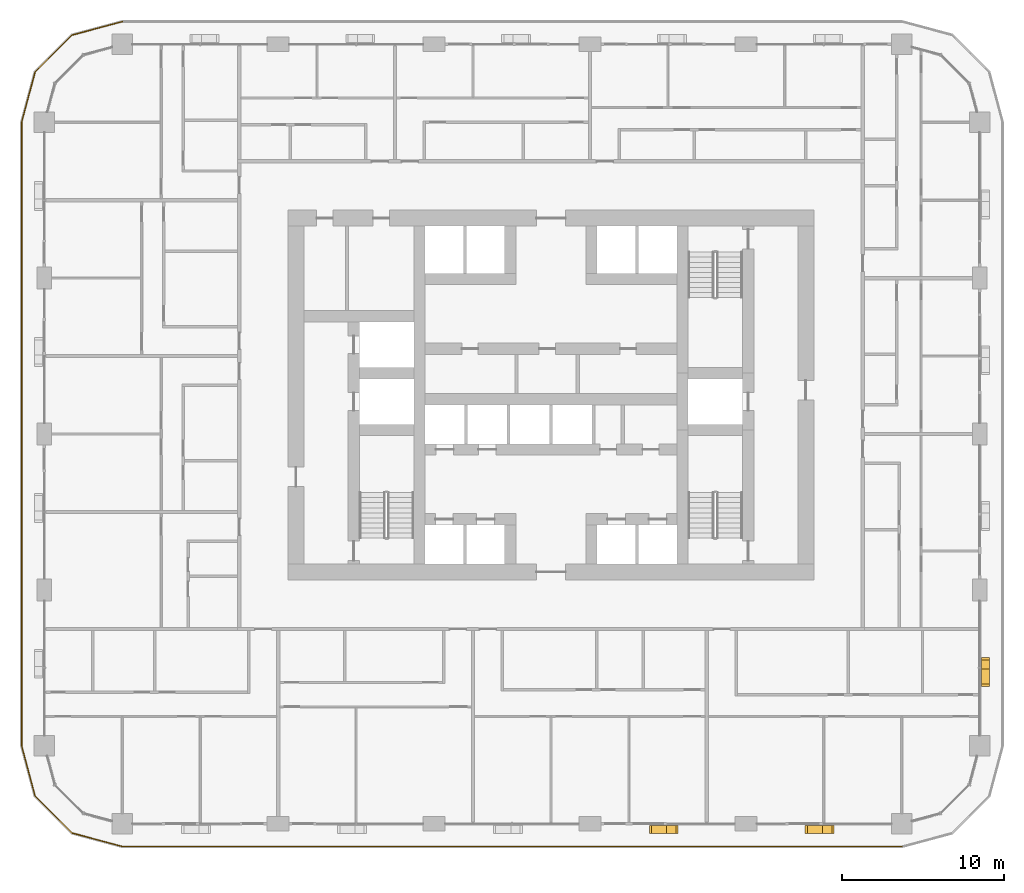
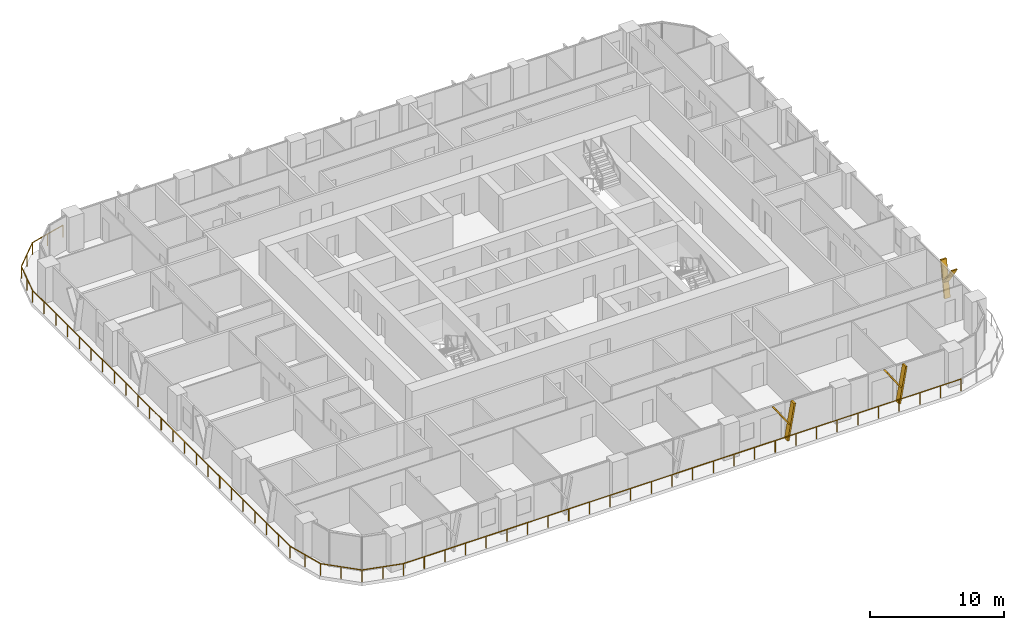
# One storey, part 18 of 21: 6 shading devices, 1 railing.
"""IFC4 building model written with IfcOpenShell, lengths in metres."""

from ifc_helpers import new_model, si_unit, direction, frame, origin, origin_2d, place, context, subcontext, project, spatial, polyline, circle, outline, extrude, material, type_object, element, save


model = new_model("IFC4")

# Units and contexts
model_context = context("Model", 3, precision=1e-05, world=origin(), true_north=direction((0.0, 1.0)))
body_context = subcontext(model_context, "Body", "Model", "MODEL_VIEW")
ifc_project = project(units=[si_unit("LENGTHUNIT", "METRE"), si_unit("AREAUNIT", "SQUARE_METRE"), si_unit("VOLUMEUNIT", "CUBIC_METRE"), si_unit("PLANEANGLEUNIT", "RADIAN"), si_unit("MASSUNIT", "GRAM", prefix="KILO")], contexts=[model_context])

# Site, building, storey
site_placement = place(None, origin())
site = spatial("IfcSite", under=ifc_project, at=site_placement, CompositionType="ELEMENT")
building_placement = place(site_placement, origin())
building = spatial("IfcBuilding", under=site, at=building_placement, Name="Madar Terraces", CompositionType="ELEMENT")
storey_placement = place(building_placement, frame((0.0, 0.0, 43.39990234375)))
storey = spatial("IfcBuildingStorey", under=building, at=storey_placement, Name="L10", CompositionType="ELEMENT", Elevation=43.39990234375)

# Railing
ifc_material_1 = material(Name="Glass, safety glazing, with stainless steel posts", Category="steel")
railing_type = type_object("IfcRailingType", Name="Balcony glass guard 1100", PredefinedType="GUARDRAIL", material=ifc_material_1)
railing_placement = place(storey_placement, frame((4.800048828125, 49.39990234375, 0.0)))
element("IfcRailing", 1, at=railing_placement, inside=storey, type_object=railing_type, Name="Balcony guard", PredefinedType="GUARDRAIL", context=body_context, shape_type="SweptSolid", body=[
    extrude(circle(Radius=0.02392578125, at=origin_2d()), frame((0.0, 0.0, 1.076171875), z_axis=(-0.9659337912, -0.258789317819, 0.0), x_axis=(0.258789317819, -0.9659337912, 0.0)), (0.0, 0.0, 1.0), 3.20947265625),
    extrude(circle(Radius=0.02392578125, at=origin_2d()), frame((-3.10009765625, -0.83056640625, 1.076171875), z_axis=(-0.707106781187, -0.707106781187, 0.0), x_axis=(0.707106781187, -0.707106781187, 0.0)), (0.0, 0.0, 1.0), 3.209228515625),
    extrude(circle(Radius=0.02392578125, at=origin_2d()), frame((-5.369384765625, -3.099853515625, 1.076171875), z_axis=(-0.258789317819, -0.9659337912, 0.0), x_axis=(0.9659337912, -0.258789317819, 0.0)), (0.0, 0.0, 1.0), 3.20947265625),
    extrude(circle(Radius=0.02392578125, at=origin_2d()), frame((-6.199951171875, -6.199951171875, 1.076171875), z_axis=(0.0, -1.0, 0.0), x_axis=(1.0, 0.0, 0.0)), (0.0, 0.0, 1.0), 38.39990234375),
    extrude(circle(Radius=0.02392578125, at=origin_2d()), frame((-6.199951171875, -44.599853515625, 1.076171875), z_axis=(0.258789317819, -0.9659337912, 0.0), x_axis=(0.9659337912, 0.258789317819, 0.0)), (0.0, 0.0, 1.0), 3.20947265625),
    extrude(circle(Radius=0.02392578125, at=origin_2d()), frame((-5.369384765625, -47.699951171875, 1.076171875), z_axis=(0.707106781187, -0.707106781187, 0.0), x_axis=(0.707106781187, 0.707106781187, 0.0)), (0.0, 0.0, 1.0), 3.209228515625),
    extrude(circle(Radius=0.02392578125, at=origin_2d()), frame((-3.10009765625, -49.96923828125, 1.076171875), z_axis=(0.9659337912, -0.258789317819, 0.0), x_axis=(0.258789317819, 0.9659337912, 0.0)), (0.0, 0.0, 1.0), 3.20947265625),
    extrude(circle(Radius=0.02392578125, at=origin_2d()), frame((0.0, -50.7998046875, 1.076171875), z_axis=(1.0, 0.0, 0.0), x_axis=(0.0, 1.0, 0.0)), (0.0, 0.0, 1.0), 48.0),
    extrude(circle(Radius=0.02099609375, at=origin_2d()), origin(), (0.0, 0.0, 1.0), 1.052001953125),
    extrude(circle(Radius=0.02099609375, at=origin_2d()), frame((-1.550048828125, -0.415283203125, 0.0)), (0.0, 0.0, 1.0), 1.052001953125),
    extrude(circle(Radius=0.02099609375, at=origin_2d()), frame((-3.10009765625, -0.83056640625, 0.0)), (0.0, 0.0, 1.0), 1.052001953125),
    extrude(circle(Radius=0.02099609375, at=origin_2d()), frame((-4.23486328125, -1.96533203125, 0.0)), (0.0, 0.0, 1.0), 1.052001953125),
    extrude(circle(Radius=0.02099609375, at=origin_2d()), frame((-5.369384765625, -3.099853515625, 0.0)), (0.0, 0.0, 1.0), 1.052001953125),
    extrude(circle(Radius=0.02099609375, at=origin_2d()), frame((-5.78466796875, -4.64990234375, 0.0)), (0.0, 0.0, 1.0), 1.052001953125),
    extrude(circle(Radius=0.02099609375, at=origin_2d()), frame((-6.199951171875, -6.199951171875, 0.0)), (0.0, 0.0, 1.0), 1.052001953125),
    extrude(circle(Radius=0.02099609375, at=origin_2d()), frame((-6.199951171875, -7.9453125, 0.0)), (0.0, 0.0, 1.0), 1.052001953125),
    extrude(circle(Radius=0.02099609375, at=origin_2d()), frame((-6.199951171875, -9.69091796875, 0.0)), (0.0, 0.0, 1.0), 1.052001953125),
    extrude(circle(Radius=0.02099609375, at=origin_2d()), frame((-6.199951171875, -11.436279296875, 0.0)), (0.0, 0.0, 1.0), 1.052001953125),
    extrude(circle(Radius=0.02099609375, at=origin_2d()), frame((-6.199951171875, -13.181640625, 0.0)), (0.0, 0.0, 1.0), 1.052001953125),
    extrude(circle(Radius=0.02099609375, at=origin_2d()), frame((-6.199951171875, -14.92724609375, 0.0)), (0.0, 0.0, 1.0), 1.052001953125),
    extrude(circle(Radius=0.02099609375, at=origin_2d()), frame((-6.199951171875, -16.672607421875, 0.0)), (0.0, 0.0, 1.0), 1.052001953125),
    extrude(circle(Radius=0.02099609375, at=origin_2d()), frame((-6.199951171875, -18.418212890625, 0.0)), (0.0, 0.0, 1.0), 1.052001953125),
    extrude(circle(Radius=0.02099609375, at=origin_2d()), frame((-6.199951171875, -20.16357421875, 0.0)), (0.0, 0.0, 1.0), 1.052001953125),
    extrude(circle(Radius=0.02099609375, at=origin_2d()), frame((-6.199951171875, -21.908935546875, 0.0)), (0.0, 0.0, 1.0), 1.052001953125),
    extrude(circle(Radius=0.02099609375, at=origin_2d()), frame((-6.199951171875, -23.654541015625, 0.0)), (0.0, 0.0, 1.0), 1.052001953125),
    extrude(circle(Radius=0.02099609375, at=origin_2d()), frame((-6.199951171875, -25.39990234375, 0.0)), (0.0, 0.0, 1.0), 1.052001953125),
    extrude(circle(Radius=0.02099609375, at=origin_2d()), frame((-6.199951171875, -27.145263671875, 0.0)), (0.0, 0.0, 1.0), 1.052001953125),
    extrude(circle(Radius=0.02099609375, at=origin_2d()), frame((-6.199951171875, -28.890869140625, 0.0)), (0.0, 0.0, 1.0), 1.052001953125),
    extrude(circle(Radius=0.02099609375, at=origin_2d()), frame((-6.199951171875, -30.63623046875, 0.0)), (0.0, 0.0, 1.0), 1.052001953125),
    extrude(circle(Radius=0.02099609375, at=origin_2d()), frame((-6.199951171875, -32.381591796875, 0.0)), (0.0, 0.0, 1.0), 1.052001953125),
    extrude(circle(Radius=0.02099609375, at=origin_2d()), frame((-6.199951171875, -34.127197265625, 0.0)), (0.0, 0.0, 1.0), 1.052001953125),
    extrude(circle(Radius=0.02099609375, at=origin_2d()), frame((-6.199951171875, -35.87255859375, 0.0)), (0.0, 0.0, 1.0), 1.052001953125),
    extrude(circle(Radius=0.02099609375, at=origin_2d()), frame((-6.199951171875, -37.6181640625, 0.0)), (0.0, 0.0, 1.0), 1.052001953125),
    extrude(circle(Radius=0.02099609375, at=origin_2d()), frame((-6.199951171875, -39.363525390625, 0.0)), (0.0, 0.0, 1.0), 1.052001953125),
    extrude(circle(Radius=0.02099609375, at=origin_2d()), frame((-6.199951171875, -41.10888671875, 0.0)), (0.0, 0.0, 1.0), 1.052001953125),
    extrude(circle(Radius=0.02099609375, at=origin_2d()), frame((-6.199951171875, -42.8544921875, 0.0)), (0.0, 0.0, 1.0), 1.052001953125),
    extrude(circle(Radius=0.02099609375, at=origin_2d()), frame((-6.199951171875, -44.599853515625, 0.0)), (0.0, 0.0, 1.0), 1.052001953125),
    extrude(circle(Radius=0.02099609375, at=origin_2d()), frame((-5.78466796875, -46.14990234375, 0.0)), (0.0, 0.0, 1.0), 1.052001953125),
    extrude(circle(Radius=0.02099609375, at=origin_2d()), frame((-5.369384765625, -47.699951171875, 0.0)), (0.0, 0.0, 1.0), 1.052001953125),
    extrude(circle(Radius=0.02099609375, at=origin_2d()), frame((-4.23486328125, -48.83447265625, 0.0)), (0.0, 0.0, 1.0), 1.052001953125),
    extrude(circle(Radius=0.02099609375, at=origin_2d()), frame((-3.10009765625, -49.96923828125, 0.0)), (0.0, 0.0, 1.0), 1.052001953125),
    extrude(circle(Radius=0.02099609375, at=origin_2d()), frame((-1.550048828125, -50.384521484375, 0.0)), (0.0, 0.0, 1.0), 1.052001953125),
    extrude(circle(Radius=0.02099609375, at=origin_2d()), frame((0.0, -50.7998046875, 0.0)), (0.0, 0.0, 1.0), 1.052001953125),
    extrude(circle(Radius=0.02099609375, at=origin_2d()), frame((1.77783203125, -50.7998046875, 0.0)), (0.0, 0.0, 1.0), 1.052001953125),
    extrude(circle(Radius=0.02099609375, at=origin_2d()), frame((3.5556640625, -50.7998046875, 0.0)), (0.0, 0.0, 1.0), 1.052001953125),
    extrude(circle(Radius=0.02099609375, at=origin_2d()), frame((5.333251953125, -50.7998046875, 0.0)), (0.0, 0.0, 1.0), 1.052001953125),
    extrude(circle(Radius=0.02099609375, at=origin_2d()), frame((7.111083984375, -50.7998046875, 0.0)), (0.0, 0.0, 1.0), 1.052001953125),
    extrude(circle(Radius=0.02099609375, at=origin_2d()), frame((8.888916015625, -50.7998046875, 0.0)), (0.0, 0.0, 1.0), 1.052001953125),
    extrude(circle(Radius=0.02099609375, at=origin_2d()), frame((10.666748046875, -50.7998046875, 0.0)), (0.0, 0.0, 1.0), 1.052001953125),
    extrude(circle(Radius=0.02099609375, at=origin_2d()), frame((12.4443359375, -50.7998046875, 0.0)), (0.0, 0.0, 1.0), 1.052001953125),
    extrude(circle(Radius=0.02099609375, at=origin_2d()), frame((14.22216796875, -50.7998046875, 0.0)), (0.0, 0.0, 1.0), 1.052001953125),
    extrude(circle(Radius=0.02099609375, at=origin_2d()), frame((16.0, -50.7998046875, 0.0)), (0.0, 0.0, 1.0), 1.052001953125),
    extrude(circle(Radius=0.02099609375, at=origin_2d()), frame((17.77783203125, -50.7998046875, 0.0)), (0.0, 0.0, 1.0), 1.052001953125),
    extrude(circle(Radius=0.02099609375, at=origin_2d()), frame((19.5556640625, -50.7998046875, 0.0)), (0.0, 0.0, 1.0), 1.052001953125),
    extrude(circle(Radius=0.02099609375, at=origin_2d()), frame((21.333251953125, -50.7998046875, 0.0)), (0.0, 0.0, 1.0), 1.052001953125),
    extrude(circle(Radius=0.02099609375, at=origin_2d()), frame((23.111083984375, -50.7998046875, 0.0)), (0.0, 0.0, 1.0), 1.052001953125),
    extrude(circle(Radius=0.02099609375, at=origin_2d()), frame((24.888916015625, -50.7998046875, 0.0)), (0.0, 0.0, 1.0), 1.052001953125),
    extrude(circle(Radius=0.02099609375, at=origin_2d()), frame((26.666748046875, -50.7998046875, 0.0)), (0.0, 0.0, 1.0), 1.052001953125),
    extrude(circle(Radius=0.02099609375, at=origin_2d()), frame((28.4443359375, -50.7998046875, 0.0)), (0.0, 0.0, 1.0), 1.052001953125),
    extrude(circle(Radius=0.02099609375, at=origin_2d()), frame((30.22216796875, -50.7998046875, 0.0)), (0.0, 0.0, 1.0), 1.052001953125),
    extrude(circle(Radius=0.02099609375, at=origin_2d()), frame((32.0, -50.7998046875, 0.0)), (0.0, 0.0, 1.0), 1.052001953125),
    extrude(circle(Radius=0.02099609375, at=origin_2d()), frame((33.77783203125, -50.7998046875, 0.0)), (0.0, 0.0, 1.0), 1.052001953125),
    extrude(circle(Radius=0.02099609375, at=origin_2d()), frame((35.5556640625, -50.7998046875, 0.0)), (0.0, 0.0, 1.0), 1.052001953125),
    extrude(circle(Radius=0.02099609375, at=origin_2d()), frame((37.333251953125, -50.7998046875, 0.0)), (0.0, 0.0, 1.0), 1.052001953125),
    extrude(circle(Radius=0.02099609375, at=origin_2d()), frame((39.111083984375, -50.7998046875, 0.0)), (0.0, 0.0, 1.0), 1.052001953125),
    extrude(circle(Radius=0.02099609375, at=origin_2d()), frame((40.888916015625, -50.7998046875, 0.0)), (0.0, 0.0, 1.0), 1.052001953125),
    extrude(circle(Radius=0.02099609375, at=origin_2d()), frame((42.666748046875, -50.7998046875, 0.0)), (0.0, 0.0, 1.0), 1.052001953125),
    extrude(circle(Radius=0.02099609375, at=origin_2d()), frame((44.4443359375, -50.7998046875, 0.0)), (0.0, 0.0, 1.0), 1.052001953125),
    extrude(circle(Radius=0.02099609375, at=origin_2d()), frame((46.22216796875, -50.7998046875, 0.0)), (0.0, 0.0, 1.0), 1.052001953125),
    extrude(circle(Radius=0.02099609375, at=origin_2d()), frame((48.0, -50.7998046875, 0.0)), (0.0, 0.0, 1.0), 1.052001953125),
])

# Shading devices
ifc_material_2 = material(Name="Aluminium, black anodised", Category="aluminium")
shading_device_type = type_object("IfcShadingDeviceType", Name="Facade fin blade 140 x 500", PredefinedType="USERDEFINED", material=ifc_material_2)
shading_device_1_placement = place(storey_placement, frame((38.330078125, -0.35009765625, 0.0), z_axis=(0.0, 0.0, 1.0), x_axis=(1.0, 0.0, 0.0)))
element("IfcShadingDevice", 2, at=shading_device_1_placement, inside=storey, type_object=shading_device_type, Name="FIN L10 S4", ObjectType="FIN", PredefinedType="USERDEFINED", context=body_context, shape_type="SweptSolid", body=[
    extrude(outline(polyline([(0.0, 0.0), (0.139892578125, 0.0), (0.704345703125, 3.2001953125), (0.564208984375, 3.2001953125), (0.0, 0.0)])), frame((0.0, 0.25, 0.0), z_axis=(0.0, -1.0, 0.0), x_axis=(1.0, 0.0, 0.0)), (0.0, 0.0, 1.0), 0.5),
])
shading_device_2_placement = place(storey_placement, frame((38.44384765625, -0.35009765625, 1.440185546875), z_axis=(0.0, 0.0, 1.0), x_axis=(1.0, 0.0, 0.0)))
element("IfcShadingDevice", 3, at=shading_device_2_placement, inside=storey, type_object=shading_device_type, Name="FIN L10 S4 branch", ObjectType="FIN", PredefinedType="USERDEFINED", context=body_context, shape_type="SweptSolid", body=[
    extrude(outline(polyline([(0.0, 0.0), (0.14013671875, 0.0), (-1.049560546875, 1.760009765625), (-1.189697265625, 1.760009765625), (0.0, 0.0)])), frame((0.0, 0.25, 0.0), z_axis=(0.0, -1.0, 0.0), x_axis=(1.0, 0.0, 0.0)), (0.0, 0.0, 1.0), 0.5),
])
shading_device_3_placement = place(storey_placement, frame((47.929931640625, -0.35009765625, 0.0), z_axis=(0.0, 0.0, 1.0), x_axis=(1.0, 0.0, 0.0)))
element("IfcShadingDevice", 4, at=shading_device_3_placement, inside=storey, type_object=shading_device_type, Name="FIN L10 S5", ObjectType="FIN", PredefinedType="USERDEFINED", context=body_context, shape_type="SweptSolid", body=[
    extrude(outline(polyline([(0.0, 0.0), (0.14013671875, 0.0), (0.704345703125, 3.2001953125), (0.564208984375, 3.2001953125), (0.0, 0.0)])), frame((0.0, 0.25, 0.0), z_axis=(0.0, -1.0, 0.0), x_axis=(1.0, 0.0, 0.0)), (0.0, 0.0, 1.0), 0.5),
])
shading_device_4_placement = place(storey_placement, frame((48.0439453125, -0.35009765625, 1.440185546875), z_axis=(0.0, 0.0, 1.0), x_axis=(1.0, 0.0, 0.0)))
element("IfcShadingDevice", 5, at=shading_device_4_placement, inside=storey, type_object=shading_device_type, Name="FIN L10 S5 branch", ObjectType="FIN", PredefinedType="USERDEFINED", context=body_context, shape_type="SweptSolid", body=[
    extrude(outline(polyline([(0.0, 0.0), (0.139892578125, 0.0), (-1.049560546875, 1.760009765625), (-1.189697265625, 1.760009765625), (0.0, 0.0)])), frame((0.0, 0.25, 0.0), z_axis=(0.0, -1.0, 0.0), x_axis=(1.0, 0.0, 0.0)), (0.0, 0.0, 1.0), 0.5),
])
shading_device_5_placement = place(storey_placement, frame((57.949951171875, 9.530029296875, 0.0), z_axis=(0.0, 0.0, 1.0), x_axis=(0.0, 1.0, 0.0)))
element("IfcShadingDevice", 6, at=shading_device_5_placement, inside=storey, type_object=shading_device_type, Name="FIN L10 E1", ObjectType="FIN", PredefinedType="USERDEFINED", context=body_context, shape_type="SweptSolid", body=[
    extrude(outline(polyline([(0.0, 0.0), (0.139892578125, 0.0), (0.704345703125, 3.2001953125), (0.564208984375, 3.2001953125), (0.0, 0.0)])), frame((0.0, 0.25, 0.0), z_axis=(0.0, -1.0, 0.0), x_axis=(1.0, 0.0, 0.0)), (0.0, 0.0, 1.0), 0.5),
])
shading_device_6_placement = place(storey_placement, frame((57.949951171875, 9.643798828125, 1.440185546875), z_axis=(0.0, 0.0, 1.0), x_axis=(0.0, 1.0, 0.0)))
element("IfcShadingDevice", 7, at=shading_device_6_placement, inside=storey, type_object=shading_device_type, Name="FIN L10 E1 branch", ObjectType="FIN", PredefinedType="USERDEFINED", context=body_context, shape_type="SweptSolid", body=[
    extrude(outline(polyline([(0.0, 0.0), (0.14013671875, 0.0), (-1.049560546875, 1.760009765625), (-1.189697265625, 1.760009765625), (0.0, 0.0)])), frame((0.0, 0.25, 0.0), z_axis=(0.0, -1.0, 0.0), x_axis=(1.0, 0.0, 0.0)), (0.0, 0.0, 1.0), 0.5),
])

save(model, "model.ifc")
